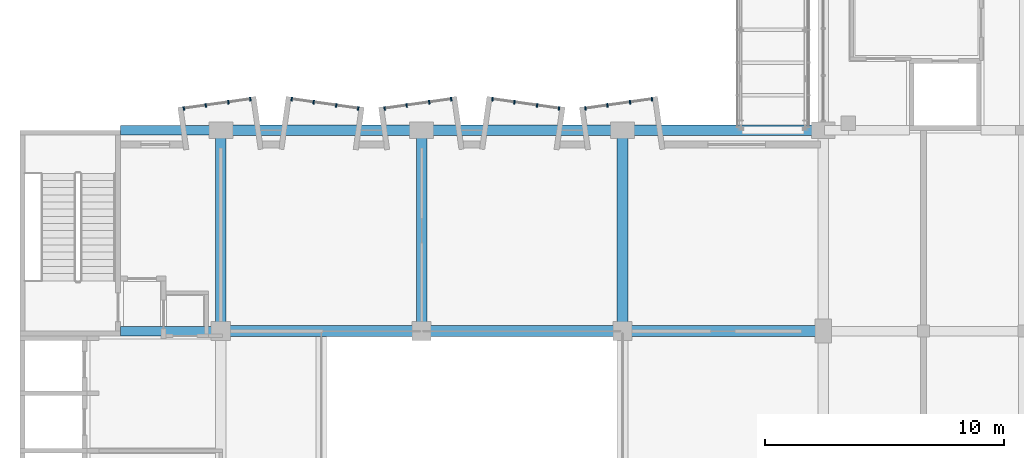
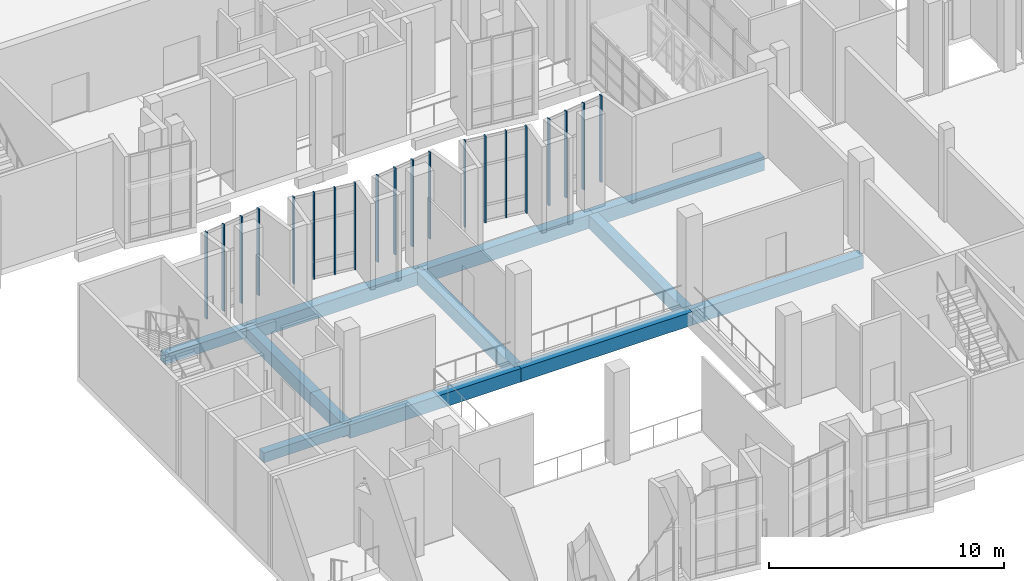
# One storey, part 4 of 86: 20 members, 11 beams, 5 elements without a shape of their own.
"""IFC4 building model written with IfcOpenShell, lengths in metres."""

from ifc_helpers import new_model, si_unit, direction, frame, origin, origin_2d, place, context, subcontext, project, spatial, rectangle, extrude, material, layer, layer_set, material_profile, profile_set, type_object, element, aggregate, save


model = new_model("IFC4")

# Units and contexts
model_context = context("Model", 3, precision=1e-05, world=origin(), true_north=direction((0.0, 1.0)))
body_context = subcontext(model_context, "Body", "Model", "MODEL_VIEW")
ifc_project = project(units=[si_unit("LENGTHUNIT", "METRE"), si_unit("AREAUNIT", "SQUARE_METRE"), si_unit("VOLUMEUNIT", "CUBIC_METRE"), si_unit("PLANEANGLEUNIT", "RADIAN"), si_unit("MASSUNIT", "GRAM", prefix="KILO")], contexts=[model_context])

# Site, building, storey
site_placement = place(None, origin())
site = spatial("IfcSite", under=ifc_project, at=site_placement, CompositionType="ELEMENT")
building_placement = place(site_placement, origin())
building = spatial("IfcBuilding", under=site, at=building_placement, Name="Kiln Court Media Centre", CompositionType="ELEMENT")
storey_placement = place(building_placement, frame((0.0, 0.0, 10.199951171875)))
storey = spatial("IfcBuildingStorey", under=building, at=storey_placement, Name="L02", CompositionType="ELEMENT", Elevation=10.199951171875)

# Curtain wall, members
ifc_material_1 = material(Name="Aluminium 6063-T6", Category="aluminium")
ifc_layer = layer(ifc_material_1, 0.1201171875)
ifc_layer_set = layer_set([ifc_layer], Name="Aluminium unitised bay curtain wall")
curtain_wall_type = type_object("IfcCurtainWallType", Name="Aluminium unitised bay curtain wall", PredefinedType="USERDEFINED", material=ifc_layer_set)
curtain_wall_1_placement = place(storey_placement, origin())
curtain_wall_1 = element("IfcCurtainWall", 1, at=curtain_wall_1_placement, inside=storey, type_object=curtain_wall_type, Name="BAY V6A-N-L02-10 front", ObjectType="UNITISED CURTAIN WALL", PredefinedType="USERDEFINED")
ifc_material_2 = material(Name="Aluminium 6063-T6", Category="aluminium")
ifc_material_profile_1 = material_profile(ifc_material_2, rectangle(XDim=0.06005859375, YDim=0.159912109375, at=origin_2d()), Name="Aluminium mullion 60x160")
ifc_profile_set_1 = profile_set([ifc_material_profile_1], Name="Aluminium 6063-T6")
member_type = type_object("IfcMemberType", Name="Aluminium mullion 60x160", PredefinedType="MULLION", material=ifc_profile_set_1)
member_1_placement = place(storey_placement, frame((6.852783203125, 26.113525390625, 0.0), z_axis=(0.0, 0.0, 1.0), x_axis=(0.990269562409, 0.139162472554, 0.0)))
member_1 = element("IfcMember", 2, at=member_1_placement, type_object=member_type, Name="CW2-03 mullion 1", PredefinedType="MULLION", context=body_context, shape_type="SweptSolid", body=[
    extrude(rectangle(XDim=0.06005859375, YDim=0.159912109375, at=origin_2d()), origin(), (0.0, 0.0, 1.0), 4.5),
])
member_2_placement = place(storey_placement, frame((7.7705078125, 26.242431640625, 0.0), z_axis=(0.0, 0.0, 1.0), x_axis=(0.990269562409, 0.139162472554, 0.0)))
member_2 = element("IfcMember", 3, at=member_2_placement, type_object=member_type, Name="CW2-03 mullion 2", PredefinedType="MULLION", context=body_context, shape_type="SweptSolid", body=[
    extrude(rectangle(XDim=0.06005859375, YDim=0.159912109375, at=origin_2d()), origin(), (0.0, 0.0, 1.0), 4.5),
])
member_3_placement = place(storey_placement, frame((8.7177734375, 26.375732421875, 0.0), z_axis=(0.0, 0.0, 1.0), x_axis=(0.990269562409, 0.139162472554, 0.0)))
member_3 = element("IfcMember", 4, at=member_3_placement, type_object=member_type, Name="CW2-03 mullion 3", PredefinedType="MULLION", context=body_context, shape_type="SweptSolid", body=[
    extrude(rectangle(XDim=0.06005859375, YDim=0.159912109375, at=origin_2d()), origin(), (0.0, 0.0, 1.0), 4.5),
])
member_4_placement = place(storey_placement, frame((9.635498046875, 26.504638671875, 0.0), z_axis=(0.0, 0.0, 1.0), x_axis=(0.990269562409, 0.139162472554, 0.0)))
member_4 = element("IfcMember", 5, at=member_4_placement, type_object=member_type, Name="CW2-03 mullion 4", PredefinedType="MULLION", context=body_context, shape_type="SweptSolid", body=[
    extrude(rectangle(XDim=0.06005859375, YDim=0.159912109375, at=origin_2d()), origin(), (0.0, 0.0, 1.0), 4.5),
])
aggregate(curtain_wall_1, [member_1, member_2, member_3, member_4])

curtain_wall_2_placement = place(storey_placement, origin())
curtain_wall_2 = element("IfcCurtainWall", 6, at=curtain_wall_2_placement, inside=storey, type_object=curtain_wall_type, Name="BAY V6A-N-L02-11 front", ObjectType="UNITISED CURTAIN WALL", PredefinedType="USERDEFINED")
member_5_placement = place(storey_placement, frame((11.364501953125, 26.504638671875, 0.0), z_axis=(0.0, 0.0, 1.0), x_axis=(0.990269562409, -0.139162472554, 0.0)))
member_5 = element("IfcMember", 7, at=member_5_placement, type_object=member_type, Name="CW2-04 mullion 1", PredefinedType="MULLION", context=body_context, shape_type="SweptSolid", body=[
    extrude(rectangle(XDim=0.06005859375, YDim=0.159912109375, at=origin_2d()), origin(), (0.0, 0.0, 1.0), 4.5),
])
member_6_placement = place(storey_placement, frame((12.2822265625, 26.375732421875, 0.0), z_axis=(0.0, 0.0, 1.0), x_axis=(0.990269562409, -0.139162472554, 0.0)))
member_6 = element("IfcMember", 8, at=member_6_placement, type_object=member_type, Name="CW2-04 mullion 2", PredefinedType="MULLION", context=body_context, shape_type="SweptSolid", body=[
    extrude(rectangle(XDim=0.06005859375, YDim=0.159912109375, at=origin_2d()), origin(), (0.0, 0.0, 1.0), 4.5),
])
member_7_placement = place(storey_placement, frame((13.2294921875, 26.242431640625, 0.0), z_axis=(0.0, 0.0, 1.0), x_axis=(0.990269562409, -0.139162472554, 0.0)))
member_7 = element("IfcMember", 9, at=member_7_placement, type_object=member_type, Name="CW2-04 mullion 3", PredefinedType="MULLION", context=body_context, shape_type="SweptSolid", body=[
    extrude(rectangle(XDim=0.06005859375, YDim=0.159912109375, at=origin_2d()), origin(), (0.0, 0.0, 1.0), 4.5),
])
member_8_placement = place(storey_placement, frame((14.147216796875, 26.113525390625, 0.0), z_axis=(0.0, 0.0, 1.0), x_axis=(0.990269562409, -0.139162472554, 0.0)))
member_8 = element("IfcMember", 10, at=member_8_placement, type_object=member_type, Name="CW2-04 mullion 4", PredefinedType="MULLION", context=body_context, shape_type="SweptSolid", body=[
    extrude(rectangle(XDim=0.06005859375, YDim=0.159912109375, at=origin_2d()), origin(), (0.0, 0.0, 1.0), 4.5),
])
aggregate(curtain_wall_2, [member_5, member_6, member_7, member_8])

curtain_wall_3_placement = place(storey_placement, origin())
curtain_wall_3 = element("IfcCurtainWall", 11, at=curtain_wall_3_placement, inside=storey, type_object=curtain_wall_type, Name="BAY V6A-N-L02-12 front", ObjectType="UNITISED CURTAIN WALL", PredefinedType="USERDEFINED")
member_9_placement = place(storey_placement, frame((15.2529296875, 26.113525390625, 0.0), z_axis=(0.0, 0.0, 1.0), x_axis=(0.990269562409, 0.139162472554, 0.0)))
member_9 = element("IfcMember", 12, at=member_9_placement, type_object=member_type, Name="CW2-05 mullion 1", PredefinedType="MULLION", context=body_context, shape_type="SweptSolid", body=[
    extrude(rectangle(XDim=0.06005859375, YDim=0.159912109375, at=origin_2d()), origin(), (0.0, 0.0, 1.0), 4.5),
])
member_10_placement = place(storey_placement, frame((16.17041015625, 26.242431640625, 0.0), z_axis=(0.0, 0.0, 1.0), x_axis=(0.990269562409, 0.139162472554, 0.0)))
member_10 = element("IfcMember", 13, at=member_10_placement, type_object=member_type, Name="CW2-05 mullion 2", PredefinedType="MULLION", context=body_context, shape_type="SweptSolid", body=[
    extrude(rectangle(XDim=0.06005859375, YDim=0.159912109375, at=origin_2d()), origin(), (0.0, 0.0, 1.0), 4.5),
])
member_11_placement = place(storey_placement, frame((17.117919921875, 26.375732421875, 0.0), z_axis=(0.0, 0.0, 1.0), x_axis=(0.990269562409, 0.139162472554, 0.0)))
member_11 = element("IfcMember", 14, at=member_11_placement, type_object=member_type, Name="CW2-05 mullion 3", PredefinedType="MULLION", context=body_context, shape_type="SweptSolid", body=[
    extrude(rectangle(XDim=0.06005859375, YDim=0.159912109375, at=origin_2d()), origin(), (0.0, 0.0, 1.0), 4.5),
])
member_12_placement = place(storey_placement, frame((18.035400390625, 26.504638671875, 0.0), z_axis=(0.0, 0.0, 1.0), x_axis=(0.990269562409, 0.139162472554, 0.0)))
member_12 = element("IfcMember", 15, at=member_12_placement, type_object=member_type, Name="CW2-05 mullion 4", PredefinedType="MULLION", context=body_context, shape_type="SweptSolid", body=[
    extrude(rectangle(XDim=0.06005859375, YDim=0.159912109375, at=origin_2d()), origin(), (0.0, 0.0, 1.0), 4.5),
])
aggregate(curtain_wall_3, [member_9, member_10, member_11, member_12])

curtain_wall_4_placement = place(storey_placement, origin())
curtain_wall_4 = element("IfcCurtainWall", 16, at=curtain_wall_4_placement, inside=storey, type_object=curtain_wall_type, Name="BAY V6A-N-L02-13 front", ObjectType="UNITISED CURTAIN WALL", PredefinedType="USERDEFINED")
member_13_placement = place(storey_placement, frame((19.764404296875, 26.504638671875, 0.0), z_axis=(0.0, 0.0, 1.0), x_axis=(0.990269562409, -0.139162472554, 0.0)))
member_13 = element("IfcMember", 17, at=member_13_placement, type_object=member_type, Name="CW2-06 mullion 1", PredefinedType="MULLION", context=body_context, shape_type="SweptSolid", body=[
    extrude(rectangle(XDim=0.06005859375, YDim=0.159912109375, at=origin_2d()), origin(), (0.0, 0.0, 1.0), 4.5),
])
member_14_placement = place(storey_placement, frame((20.68212890625, 26.375732421875, 0.0), z_axis=(0.0, 0.0, 1.0), x_axis=(0.990269562409, -0.139162472554, 0.0)))
member_14 = element("IfcMember", 18, at=member_14_placement, type_object=member_type, Name="CW2-06 mullion 2", PredefinedType="MULLION", context=body_context, shape_type="SweptSolid", body=[
    extrude(rectangle(XDim=0.06005859375, YDim=0.159912109375, at=origin_2d()), origin(), (0.0, 0.0, 1.0), 4.5),
])
member_15_placement = place(storey_placement, frame((21.629638671875, 26.242431640625, 0.0), z_axis=(0.0, 0.0, 1.0), x_axis=(0.990269562409, -0.139162472554, 0.0)))
member_15 = element("IfcMember", 19, at=member_15_placement, type_object=member_type, Name="CW2-06 mullion 3", PredefinedType="MULLION", context=body_context, shape_type="SweptSolid", body=[
    extrude(rectangle(XDim=0.06005859375, YDim=0.159912109375, at=origin_2d()), origin(), (0.0, 0.0, 1.0), 4.5),
])
member_16_placement = place(storey_placement, frame((22.547119140625, 26.113525390625, 0.0), z_axis=(0.0, 0.0, 1.0), x_axis=(0.990269562409, -0.139162472554, 0.0)))
member_16 = element("IfcMember", 20, at=member_16_placement, type_object=member_type, Name="CW2-06 mullion 4", PredefinedType="MULLION", context=body_context, shape_type="SweptSolid", body=[
    extrude(rectangle(XDim=0.06005859375, YDim=0.159912109375, at=origin_2d()), origin(), (0.0, 0.0, 1.0), 4.5),
])
aggregate(curtain_wall_4, [member_13, member_14, member_15, member_16])

curtain_wall_5_placement = place(storey_placement, origin())
curtain_wall_5 = element("IfcCurtainWall", 21, at=curtain_wall_5_placement, inside=storey, type_object=curtain_wall_type, Name="BAY V6A-N-L02-14 front", ObjectType="UNITISED CURTAIN WALL", PredefinedType="USERDEFINED")
member_17_placement = place(storey_placement, frame((23.65283203125, 26.113525390625, 0.0), z_axis=(0.0, 0.0, 1.0), x_axis=(0.990269562409, 0.139162472554, 0.0)))
member_17 = element("IfcMember", 22, at=member_17_placement, type_object=member_type, Name="CW2-07 mullion 1", PredefinedType="MULLION", context=body_context, shape_type="SweptSolid", body=[
    extrude(rectangle(XDim=0.06005859375, YDim=0.159912109375, at=origin_2d()), origin(), (0.0, 0.0, 1.0), 4.5),
])
member_18_placement = place(storey_placement, frame((24.570556640625, 26.242431640625, 0.0), z_axis=(0.0, 0.0, 1.0), x_axis=(0.990269562409, 0.139162472554, 0.0)))
member_18 = element("IfcMember", 23, at=member_18_placement, type_object=member_type, Name="CW2-07 mullion 2", PredefinedType="MULLION", context=body_context, shape_type="SweptSolid", body=[
    extrude(rectangle(XDim=0.06005859375, YDim=0.159912109375, at=origin_2d()), origin(), (0.0, 0.0, 1.0), 4.5),
])
member_19_placement = place(storey_placement, frame((25.517822265625, 26.375732421875, 0.0), z_axis=(0.0, 0.0, 1.0), x_axis=(0.990269562409, 0.139162472554, 0.0)))
member_19 = element("IfcMember", 24, at=member_19_placement, type_object=member_type, Name="CW2-07 mullion 3", PredefinedType="MULLION", context=body_context, shape_type="SweptSolid", body=[
    extrude(rectangle(XDim=0.06005859375, YDim=0.159912109375, at=origin_2d()), origin(), (0.0, 0.0, 1.0), 4.5),
])
member_20_placement = place(storey_placement, frame((26.435546875, 26.504638671875, 0.0), z_axis=(0.0, 0.0, 1.0), x_axis=(0.990269562409, 0.139162472554, 0.0)))
member_20 = element("IfcMember", 25, at=member_20_placement, type_object=member_type, Name="CW2-07 mullion 4", PredefinedType="MULLION", context=body_context, shape_type="SweptSolid", body=[
    extrude(rectangle(XDim=0.06005859375, YDim=0.159912109375, at=origin_2d()), origin(), (0.0, 0.0, 1.0), 4.5),
])
aggregate(curtain_wall_5, [member_17, member_18, member_19, member_20])

# Beams
ifc_material_3 = material(Name="Concrete C30/37", Category="concrete")
ifc_material_profile_2 = material_profile(ifc_material_3, rectangle(XDim=0.39990234375, YDim=0.5, at=origin_2d()), Name="RC 400x500")
ifc_profile_set_2 = profile_set([ifc_material_profile_2], Name="Concrete C30/37")
beam_type_1 = type_object("IfcBeamType", Name="Concrete C30/37 beam 400x500", PredefinedType="BEAM", material=ifc_profile_set_2)
for number, where, z_axis, x_axis, name in (
    (26, (4.199951171875, 16.800048828125, -0.550048828125), (1.0, 0.0, 0.0), (0.0, 1.0, 0.0), "L02-B-1019"),
    (27, (4.199951171875, 25.199951171875, -0.550048828125), (1.0, 0.0, 0.0), (0.0, 1.0, 0.0), "L02-B-1023"),
):
    element("IfcBeam", number, at=place(storey_placement, frame(where, z_axis=z_axis, x_axis=x_axis)), inside=storey, type_object=beam_type_1, Name=name, PredefinedType="BEAM", context=body_context, shape_type="SweptSolid", body=[
        extrude(rectangle(XDim=0.39990234375, YDim=0.5, at=origin_2d()), origin(), (0.0, 0.0, 1.0), 4.199951171875),
    ])
ifc_material_4 = material(Name="Concrete C30/37", Category="concrete")
ifc_material_profile_3 = material_profile(ifc_material_4, rectangle(XDim=0.449951171875, YDim=0.699951171875, at=origin_2d()), Name="RC 450x700")
ifc_profile_set_3 = profile_set([ifc_material_profile_3], Name="Concrete C30/37")
beam_type_2 = type_object("IfcBeamType", Name="Concrete C30/37 beam 450x700", PredefinedType="BEAM", material=ifc_profile_set_3)
for number, where, z_axis, x_axis, name in (
    (28, (8.39990234375, 16.800048828125, -0.64990234375), (0.0, 1.0, 0.0), (-1.0, 0.0, 0.0), "L02-B-1002"),
    (29, (16.800048828125, 16.800048828125, -0.64990234375), (0.0, 1.0, 0.0), (-1.0, 0.0, 0.0), "L02-B-1004"),
    (30, (25.199951171875, 16.800048828125, -0.64990234375), (0.0, 1.0, 0.0), (-1.0, 0.0, 0.0), "L02-B-1007"),
):
    element("IfcBeam", number, at=place(storey_placement, frame(where, z_axis=z_axis, x_axis=x_axis)), inside=storey, type_object=beam_type_2, Name=name, PredefinedType="BEAM", context=body_context, shape_type="SweptSolid", body=[
        extrude(rectangle(XDim=0.449951171875, YDim=0.699951171875, at=origin_2d()), origin(), (0.0, 0.0, 1.0), 8.39990234375),
    ])
beam_1_placement = place(storey_placement, frame((8.39990234375, 16.800048828125, -0.64990234375), z_axis=(1.0, 0.0, 0.0), x_axis=(0.0, 1.0, 0.0)))
element("IfcBeam", 31, at=beam_1_placement, inside=storey, type_object=beam_type_2, Name="L02-B-1020", PredefinedType="BEAM", context=body_context, shape_type="SweptSolid", body=[
    extrude(rectangle(XDim=0.449951171875, YDim=0.699951171875, at=origin_2d()), origin(), (0.0, 0.0, 1.0), 8.400146484375),
])
beam_2_placement = place(storey_placement, frame((16.800048828125, 16.800048828125, -0.64990234375), z_axis=(1.0, 0.0, 0.0), x_axis=(0.0, 1.0, 0.0)))
element("IfcBeam", 32, at=beam_2_placement, inside=storey, type_object=beam_type_2, Name="L02-B-1021", PredefinedType="BEAM", context=body_context, shape_type="SweptSolid", body=[
    extrude(rectangle(XDim=0.449951171875, YDim=0.699951171875, at=origin_2d()), origin(), (0.0, 0.0, 1.0), 8.39990234375),
])
for number, where, z_axis, x_axis, name in (
    (33, (25.199951171875, 16.800048828125, -0.64990234375), (1.0, 0.0, 0.0), (0.0, 1.0, 0.0), "L02-B-1022"),
    (34, (8.39990234375, 25.199951171875, -0.64990234375), (1.0, 0.0, 0.0), (0.0, 1.0, 0.0), "L02-B-1024"),
):
    element("IfcBeam", number, at=place(storey_placement, frame(where, z_axis=z_axis, x_axis=x_axis)), inside=storey, type_object=beam_type_2, Name=name, PredefinedType="BEAM", context=body_context, shape_type="SweptSolid", body=[
        extrude(rectangle(XDim=0.449951171875, YDim=0.699951171875, at=origin_2d()), origin(), (0.0, 0.0, 1.0), 8.400146484375),
    ])
beam_3_placement = place(storey_placement, frame((16.800048828125, 25.199951171875, -0.64990234375), z_axis=(1.0, 0.0, 0.0), x_axis=(0.0, 1.0, 0.0)))
element("IfcBeam", 35, at=beam_3_placement, inside=storey, type_object=beam_type_2, Name="L02-B-1025", PredefinedType="BEAM", context=body_context, shape_type="SweptSolid", body=[
    extrude(rectangle(XDim=0.449951171875, YDim=0.699951171875, at=origin_2d()), origin(), (0.0, 0.0, 1.0), 8.39990234375),
])
beam_4_placement = place(storey_placement, frame((25.199951171875, 25.199951171875, -0.64990234375), z_axis=(1.0, 0.0, 0.0), x_axis=(0.0, 1.0, 0.0)))
element("IfcBeam", 36, at=beam_4_placement, inside=storey, type_object=beam_type_2, Name="L02-B-1026", PredefinedType="BEAM", context=body_context, shape_type="SweptSolid", body=[
    extrude(rectangle(XDim=0.449951171875, YDim=0.699951171875, at=origin_2d()), origin(), (0.0, 0.0, 1.0), 8.400146484375),
])

save(model, "model.ifc")
